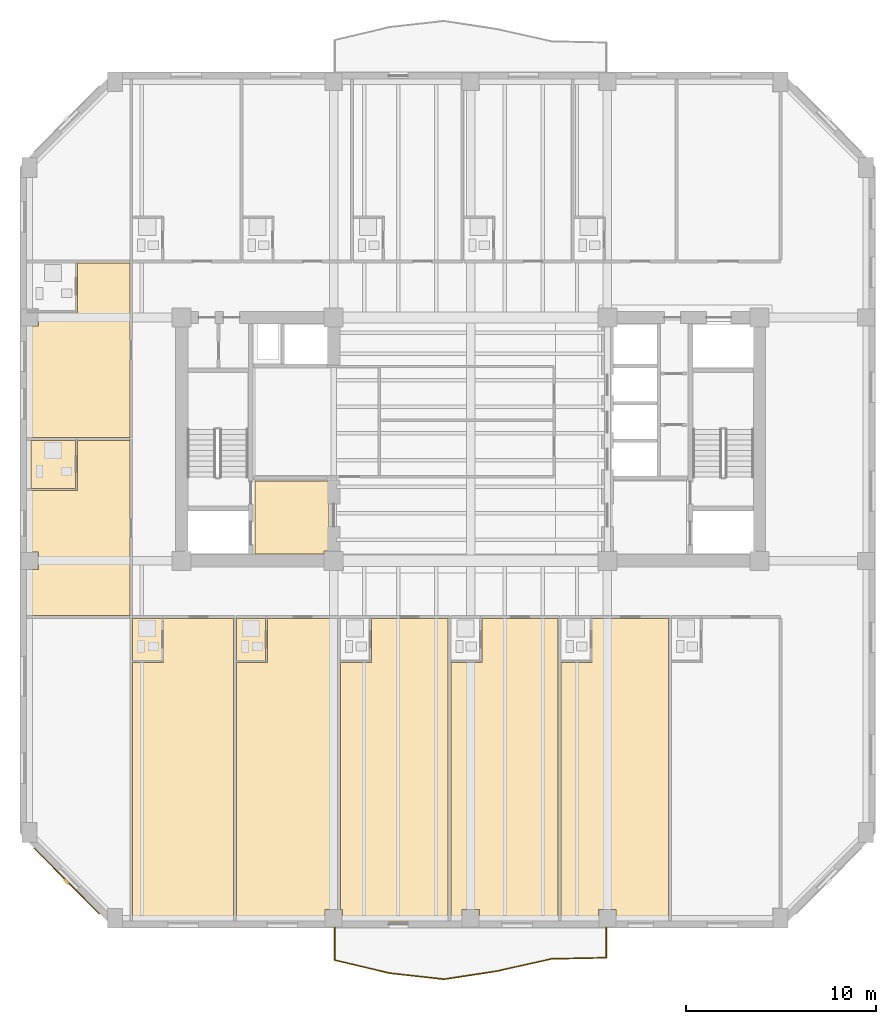
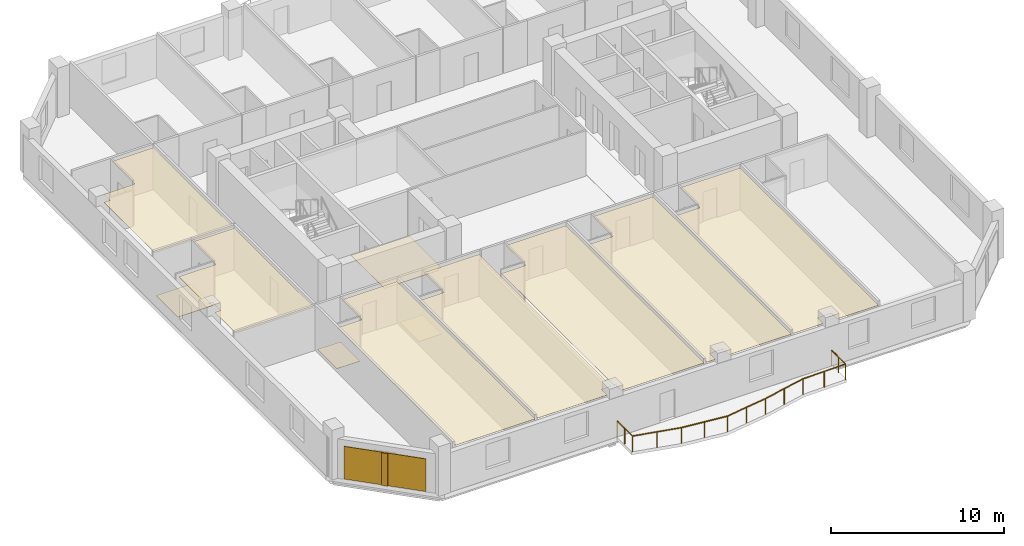
# One storey, part 7 of 11: 12 coverings, 1 railing, 1 shading device.
"""IFC4 building model written with IfcOpenShell, lengths in metres."""

from ifc_helpers import new_model, si_unit, direction, frame, origin, origin_2d, place, context, subcontext, project, spatial, polyline, rectangle, circle, outline, extrude, material, layer, layer_set, type_object, element, save


model = new_model("IFC4")

# Units and contexts
model_context = context("Model", 3, precision=1e-05, world=origin(), true_north=direction((0.0, 1.0)))
body_context = subcontext(model_context, "Body", "Model", "MODEL_VIEW")
ifc_project = project(units=[si_unit("LENGTHUNIT", "METRE"), si_unit("AREAUNIT", "SQUARE_METRE"), si_unit("VOLUMEUNIT", "CUBIC_METRE"), si_unit("PLANEANGLEUNIT", "RADIAN"), si_unit("MASSUNIT", "GRAM", prefix="KILO")], contexts=[model_context])

# Site, building, storey
site_placement = place(None, origin())
site = spatial("IfcSite", under=ifc_project, at=site_placement, CompositionType="ELEMENT")
building_placement = place(site_placement, origin())
building = spatial("IfcBuilding", under=site, at=building_placement, Name="Kranthara Brick Stack", CompositionType="ELEMENT")
storey_placement = place(building_placement, frame((0.0, 0.0, 134.300048828125)))
storey = spatial("IfcBuildingStorey", under=building, at=storey_placement, Name="L33", CompositionType="ELEMENT", Elevation=134.300048828125)

# Coverings
ifc_material_1 = material(Name="Perforated mineral-fibre acoustic ceiling tile", Category="other")
ifc_layer_1 = layer(ifc_material_1, 0.02490234375)
ifc_layer_set_1 = layer_set([ifc_layer_1], Name="Perforated mineral-fibre acoustic ceiling tile")
covering_type_1 = type_object("IfcCoveringType", Name="COV-CEIL-ACOUSTIC", PredefinedType="CEILING", material=ifc_layer_set_1)
covering_1_placement = place(storey_placement, frame((0.0, 0.0, 2.929931640625)))
element("IfcCovering", 1, at=covering_1_placement, inside=storey, type_object=covering_type_1, Name="L33 Room L33-01 Corner Junior Suite Acoustic Ceiling", PredefinedType="CEILING", context=body_context, shape_type="SweptSolid", body=[
    extrude(outline(polyline([(10.22998046875, 1.800048828125), (15.533935546875, 1.800048828125), (15.533935546875, 17.77001953125), (11.860107421875, 17.77001953125), (11.860107421875, 15.4599609375), (10.22998046875, 15.4599609375), (10.22998046875, 1.800048828125)])), origin(), (0.0, 0.0, 1.0), 0.02490234375),
])
covering_2_placement = place(storey_placement, frame((0.0, 0.0, 2.929931640625)))
element("IfcCovering", 2, at=covering_2_placement, inside=storey, type_object=covering_type_1, Name="L33 Room L33-02 Corner Junior Suite Acoustic Ceiling", PredefinedType="CEILING", context=body_context, shape_type="SweptSolid", body=[
    extrude(outline(polyline([(15.694091796875, 1.800048828125), (15.694091796875, 15.4599609375), (17.323974609375, 15.4599609375), (17.323974609375, 17.77001953125), (20.998046875, 17.77001953125), (20.998046875, 2.4599609375), (20.340087890625, 2.4599609375), (20.340087890625, 1.800048828125), (15.694091796875, 1.800048828125)])), origin(), (0.0, 0.0, 1.0), 0.02490234375),
])
covering_3_placement = place(storey_placement, frame((0.0, 0.0, 2.929931640625)))
element("IfcCovering", 3, at=covering_3_placement, inside=storey, type_object=covering_type_1, Name="L33 Room L33-03 Corner Junior Suite Acoustic Ceiling", PredefinedType="CEILING", context=body_context, shape_type="SweptSolid", body=[
    extrude(outline(polyline([(21.157958984375, 15.4599609375), (22.7880859375, 15.4599609375), (22.7880859375, 17.77001953125), (26.802978515625, 17.77001953125), (26.802978515625, 1.800048828125), (21.260009765625, 1.800048828125), (21.260009765625, 2.4599609375), (21.157958984375, 2.4599609375), (21.157958984375, 15.4599609375)])), origin(), (0.0, 0.0, 1.0), 0.02490234375),
])
covering_4_placement = place(storey_placement, frame((0.0, 0.0, 2.929931640625)))
element("IfcCovering", 4, at=covering_4_placement, inside=storey, type_object=covering_type_1, Name="L33 Room L33-04 Corner Junior Suite Acoustic Ceiling", PredefinedType="CEILING", context=body_context, shape_type="SweptSolid", body=[
    extrude(outline(polyline([(26.962890625, 1.800048828125), (26.962890625, 15.4599609375), (28.593017578125, 15.4599609375), (28.593017578125, 17.77001953125), (32.60888671875, 17.77001953125), (32.60888671875, 1.800048828125), (28.4599609375, 1.800048828125), (28.4599609375, 2.4599609375), (27.5400390625, 2.4599609375), (27.5400390625, 1.800048828125), (26.962890625, 1.800048828125)])), origin(), (0.0, 0.0, 1.0), 0.02490234375),
])
covering_5_placement = place(storey_placement, frame((0.0, 0.0, 2.929931640625)))
element("IfcCovering", 5, at=covering_5_placement, inside=storey, type_object=covering_type_1, Name="L33 Room L33-05 Corner Junior Suite Acoustic Ceiling", PredefinedType="CEILING", context=body_context, shape_type="SweptSolid", body=[
    extrude(outline(polyline([(32.76904296875, 1.800048828125), (32.76904296875, 15.4599609375), (34.39892578125, 15.4599609375), (34.39892578125, 17.77001953125), (38.4140625, 17.77001953125), (38.4140625, 1.800048828125), (35.659912109375, 1.800048828125), (35.659912109375, 2.4599609375), (34.739990234375, 2.4599609375), (34.739990234375, 1.800048828125), (32.76904296875, 1.800048828125)])), origin(), (0.0, 0.0, 1.0), 0.02490234375),
])
covering_6_placement = place(storey_placement, frame((0.0, 0.0, 2.929931640625)))
element("IfcCovering", 6, at=covering_6_placement, inside=storey, type_object=covering_type_1, Name="L33 Room L33-13 Hotel Guest Room Acoustic Ceiling", PredefinedType="CEILING", context=body_context, shape_type="SweptSolid", body=[
    extrude(outline(polyline([(4.8701171875, 24.489990234375), (7.330078125, 24.489990234375), (7.330078125, 27.1201171875), (10.080078125, 27.1201171875), (10.080078125, 17.929931640625), (4.8701171875, 17.929931640625), (4.8701171875, 20.340087890625), (5.260009765625, 20.340087890625), (5.260009765625, 21.260009765625), (4.8701171875, 21.260009765625), (4.8701171875, 24.489990234375)])), origin(), (0.0, 0.0, 1.0), 0.02490234375),
])
covering_7_placement = place(storey_placement, frame((0.0, 0.0, 2.929931640625)))
element("IfcCovering", 7, at=covering_7_placement, inside=storey, type_object=covering_type_1, Name="L33 Room L33-14 Hotel Guest Room Acoustic Ceiling", PredefinedType="CEILING", context=body_context, shape_type="SweptSolid", body=[
    extrude(outline(polyline([(7.330078125, 33.840087890625), (7.330078125, 36.469970703125), (10.080078125, 36.469970703125), (10.080078125, 27.280029296875), (4.8701171875, 27.280029296875), (4.8701171875, 33.139892578125), (5.260009765625, 33.139892578125), (5.260009765625, 33.840087890625), (7.330078125, 33.840087890625)])), origin(), (0.0, 0.0, 1.0), 0.02490234375),
])
ifc_material_2 = material(Name="Warm buff kiln-fired brick slip rainscreen", Category="masonry")
ifc_layer_2 = layer(ifc_material_2, 0.044921875)
ifc_layer_set_2 = layer_set([ifc_layer_2], Name="Warm buff kiln-fired brick slip rainscreen")
covering_type_2 = type_object("IfcCoveringType", Name="COV-CLAD-BRICK", PredefinedType="CLADDING", material=ifc_layer_set_2)
covering_8_placement = place(storey_placement, frame((6.759521484375, 3.959716796875, 0.0498046875), z_axis=(0.0, 0.0, 1.0), x_axis=(-0.707106781187, 0.707106781187, 0.0)))
element("IfcCovering", 8, at=covering_8_placement, inside=storey, type_object=covering_type_2, Name="L33 Chamfer Brick Rainscreen Cladding SW", PredefinedType="CLADDING", context=body_context, shape_type="SweptSolid", body=[
    extrude(rectangle(XDim=4.89306640625, YDim=0.044921875, at=origin_2d()), origin(), (0.0, 0.0, 1.0), 2.300048828125),
])
ifc_material_3 = material(Name="Honed terrazzo and porcelain floor finish", Category="stone")
ifc_layer_3 = layer(ifc_material_3, 0.030029296875)
ifc_layer_set_3 = layer_set([ifc_layer_3], Name="Honed terrazzo and porcelain floor finish")
covering_type_3 = type_object("IfcCoveringType", Name="COV-FLOR-STONE", PredefinedType="FLOORING", material=ifc_layer_set_3)
covering_9_placement = place(storey_placement, origin())
element("IfcCovering", 9, at=covering_9_placement, inside=storey, type_object=covering_type_3, Name="L33 Lift Lobby Stone Flooring", PredefinedType="FLOORING", context=body_context, shape_type="SweptSolid", body=[
    extrude(outline(polyline([(16.64990234375, 21.14990234375), (16.64990234375, 25.0), (20.550048828125, 25.0), (20.550048828125, 21.31005859375), (20.2900390625, 21.31005859375), (20.2900390625, 21.14990234375), (16.64990234375, 21.14990234375)])), origin(), (0.0, 0.0, 1.0), 0.030029296875),
])
covering_10_placement = place(storey_placement, origin())
element("IfcCovering", 10, at=covering_10_placement, inside=storey, type_object=covering_type_3, Name="L33 Wet Room Porcelain Flooring", PredefinedType="FLOORING", context=body_context, shape_type="SweptSolid", body=[
    extrude(outline(polyline([(10.22998046875, 15.52001953125), (10.22998046875, 17.77001953125), (11.760009765625, 17.77001953125), (11.760009765625, 15.52001953125), (10.22998046875, 15.52001953125)])), origin(), (0.0, 0.0, 1.0), 0.030029296875),
])
covering_11_placement = place(storey_placement, origin())
element("IfcCovering", 11, at=covering_11_placement, inside=storey, type_object=covering_type_3, Name="L33 Wet Room Porcelain Flooring", PredefinedType="FLOORING", context=body_context, shape_type="SweptSolid", body=[
    extrude(outline(polyline([(15.694091796875, 15.52001953125), (15.694091796875, 17.77001953125), (17.22412109375, 17.77001953125), (17.22412109375, 15.52001953125), (15.694091796875, 15.52001953125)])), origin(), (0.0, 0.0, 1.0), 0.030029296875),
])
covering_12_placement = place(storey_placement, origin())
element("IfcCovering", 12, at=covering_12_placement, inside=storey, type_object=covering_type_3, Name="L33 Wet Room Porcelain Flooring", PredefinedType="FLOORING", context=body_context, shape_type="SweptSolid", body=[
    extrude(outline(polyline([(4.8701171875, 24.610107421875), (4.8701171875, 27.1201171875), (7.2099609375, 27.1201171875), (7.2099609375, 24.610107421875), (4.8701171875, 24.610107421875)])), origin(), (0.0, 0.0, 1.0), 0.030029296875),
])

# Railing
ifc_material_4 = material(Name="Bronze anodised aluminium and laminated glass balustrade", Category="aluminium")
railing_type = type_object("IfcRailingType", Name="RL-BALC-1120", PredefinedType="BALUSTRADE", material=ifc_material_4)
railing_placement = place(storey_placement, frame((35.139892578125, 1.56005859375, 0.0)))
element("IfcRailing", 13, at=railing_placement, inside=storey, type_object=railing_type, Name="L33 South Rippling Balcony Balustrade", PredefinedType="BALUSTRADE", context=body_context, shape_type="SweptSolid", body=[
    extrude(circle(Radius=0.02392578125, at=origin_2d()), frame((0.0, 0.0, 1.09619140625), z_axis=(0.0, -1.0, 0.0), x_axis=(1.0, 0.0, 0.0)), (0.0, 0.0, 1.0), 1.638427734375),
    extrude(circle(Radius=0.02392578125, at=origin_2d()), frame((0.0, -1.638427734375, 1.09619140625), z_axis=(-0.999777282643, -0.02110414915, 0.0), x_axis=(0.02110414915, -0.999777282643, 0.0)), (0.0, 0.0, 1.0), 2.880615234375),
    extrude(circle(Radius=0.02392578125, at=origin_2d()), frame((-2.8798828125, -1.69921875, 1.09619140625), z_axis=(-0.975765773416, -0.218817630527, 0.0), x_axis=(0.218817630527, -0.975765773416, 0.0)), (0.0, 0.0, 1.0), 2.9443359375),
    extrude(circle(Radius=0.02392578125, at=origin_2d()), frame((-5.7529296875, -2.343505859375, 1.09619140625), z_axis=(-0.988453820893, -0.151522420657, 0.0), x_axis=(0.151522420657, -0.988453820893, 0.0)), (0.0, 0.0, 1.0), 2.813232421875),
    extrude(circle(Radius=0.02392578125, at=origin_2d()), frame((-8.53369140625, -2.769775390625, 1.09619140625), z_axis=(-0.993817509362, 0.111025934288, 0.0), x_axis=(-0.111025934288, -0.993817509362, 0.0)), (0.0, 0.0, 1.0), 2.885009765625),
    extrude(circle(Radius=0.02392578125, at=origin_2d()), frame((-11.40087890625, -2.449462890625, 1.09619140625), z_axis=(-0.972929130517, 0.231103671521, 0.0), x_axis=(-0.231103671521, -0.972929130517, 0.0)), (0.0, 0.0, 1.0), 2.958984375),
    extrude(circle(Radius=0.02392578125, at=origin_2d()), frame((-14.27978515625, -1.765625, 1.09619140625), z_axis=(0.0, 1.0, 0.0), x_axis=(-1.0, 0.0, 0.0)), (0.0, 0.0, 1.0), 1.765625),
    extrude(circle(Radius=0.02099609375, at=origin_2d()), origin(), (0.0, 0.0, 1.0), 1.072021484375),
    extrude(circle(Radius=0.02099609375, at=origin_2d()), frame((0.0, -0.8193359375, 0.0)), (0.0, 0.0, 1.0), 1.072021484375),
    extrude(circle(Radius=0.02099609375, at=origin_2d()), frame((0.0, -1.638427734375, 0.0)), (0.0, 0.0, 1.0), 1.072021484375),
    extrude(circle(Radius=0.02099609375, at=origin_2d()), frame((-1.43994140625, -1.6689453125, 0.0)), (0.0, 0.0, 1.0), 1.072021484375),
    extrude(circle(Radius=0.02099609375, at=origin_2d()), frame((-2.8798828125, -1.69921875, 0.0)), (0.0, 0.0, 1.0), 1.072021484375),
    extrude(circle(Radius=0.02099609375, at=origin_2d()), frame((-4.31640625, -2.021484375, 0.0)), (0.0, 0.0, 1.0), 1.072021484375),
    extrude(circle(Radius=0.02099609375, at=origin_2d()), frame((-5.7529296875, -2.343505859375, 0.0)), (0.0, 0.0, 1.0), 1.072021484375),
    extrude(circle(Radius=0.02099609375, at=origin_2d()), frame((-7.143310546875, -2.556640625, 0.0)), (0.0, 0.0, 1.0), 1.072021484375),
    extrude(circle(Radius=0.02099609375, at=origin_2d()), frame((-8.53369140625, -2.769775390625, 0.0)), (0.0, 0.0, 1.0), 1.072021484375),
    extrude(circle(Radius=0.02099609375, at=origin_2d()), frame((-9.96728515625, -2.609619140625, 0.0)), (0.0, 0.0, 1.0), 1.072021484375),
    extrude(circle(Radius=0.02099609375, at=origin_2d()), frame((-11.40087890625, -2.449462890625, 0.0)), (0.0, 0.0, 1.0), 1.072021484375),
    extrude(circle(Radius=0.02099609375, at=origin_2d()), frame((-12.84033203125, -2.107421875, 0.0)), (0.0, 0.0, 1.0), 1.072021484375),
    extrude(circle(Radius=0.02099609375, at=origin_2d()), frame((-14.27978515625, -1.765625, 0.0)), (0.0, 0.0, 1.0), 1.072021484375),
    extrude(circle(Radius=0.02099609375, at=origin_2d()), frame((-14.27978515625, -0.8828125, 0.0)), (0.0, 0.0, 1.0), 1.072021484375),
    extrude(circle(Radius=0.02099609375, at=origin_2d()), frame((-14.27978515625, 0.0, 0.0)), (0.0, 0.0, 1.0), 1.072021484375),
])

# Shading device
ifc_material_5 = material(Name="Kiln-fired terracotta aerodynamic wind fin", Category="masonry")
shading_device_type = type_object("IfcShadingDeviceType", Name="SHD-BAFFLE-CORNER", PredefinedType="SHUTTER", material=ifc_material_5)
shading_device_placement = place(storey_placement, frame((6.73828125, 3.9384765625, 0.0498046875), z_axis=(0.0, 0.0, 1.0), x_axis=(-0.707106781187, 0.707106781187, 0.0)))
element("IfcShadingDevice", 14, at=shading_device_placement, inside=storey, type_object=shading_device_type, Name="L33 Chamfer Wind-Baffle Fin SW", PredefinedType="SHUTTER", context=body_context, shape_type="SweptSolid", body=[
    extrude(rectangle(XDim=0.35009765625, YDim=0.1201171875, at=origin_2d()), origin(), (0.0, 0.0, 1.0), 2.300048828125),
])

save(model, "model.ifc")
